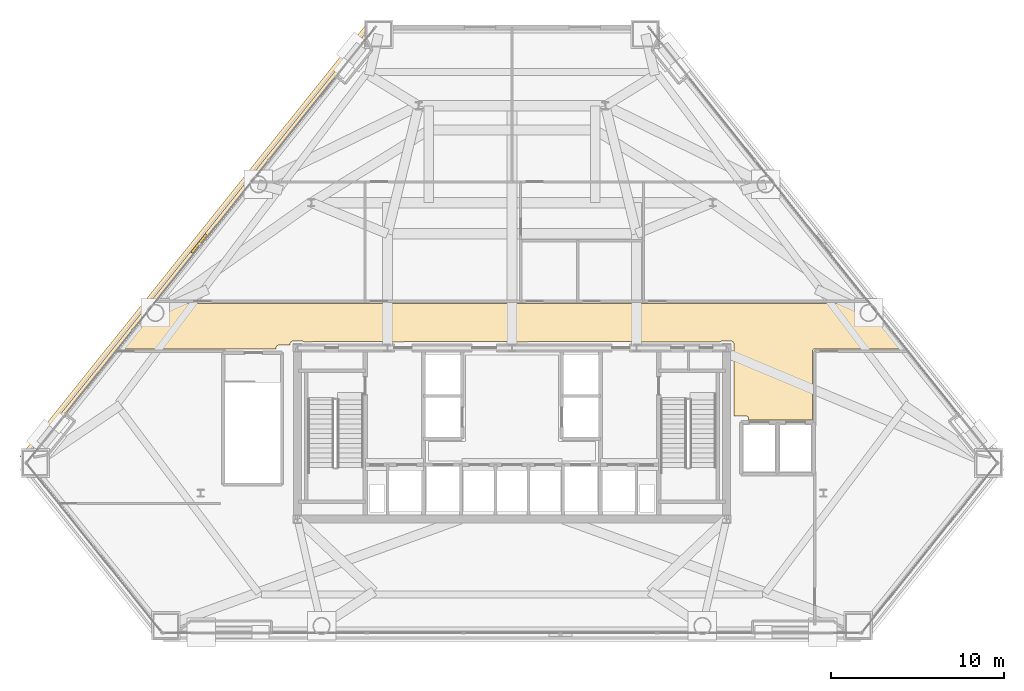
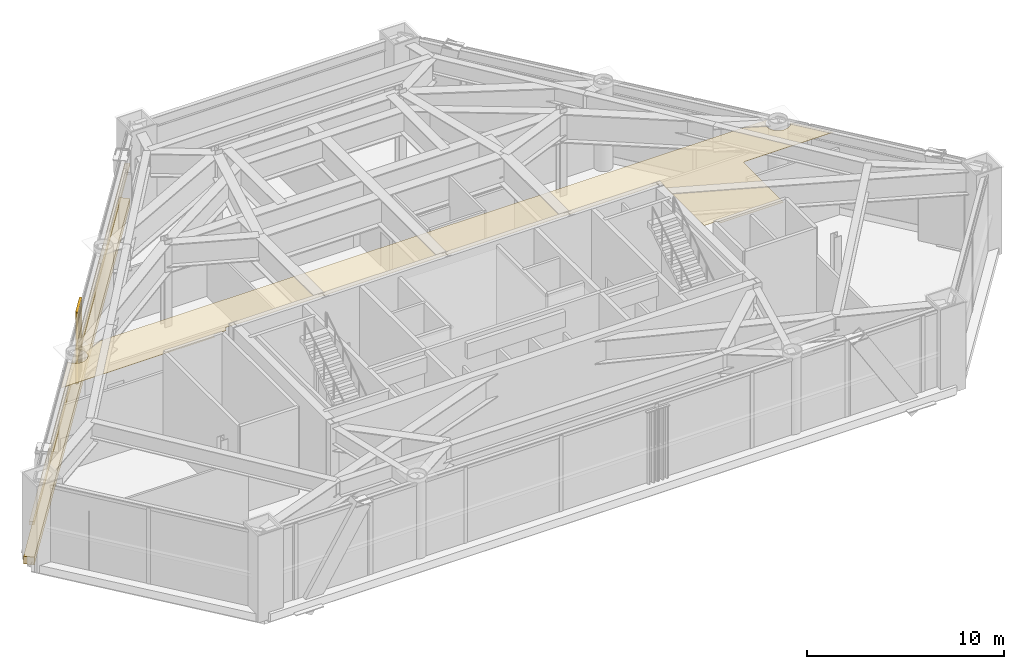
# One storey, part 12 of 13: 3 coverings, 1 shading device.
"""IFC4 building model written with IfcOpenShell, lengths in metres."""

from ifc_helpers import new_model, si_unit, direction, frame, origin, origin_2d, place, context, subcontext, project, spatial, polyline, rectangle, outline, extrude, source, transform, mapped, material, layer, layer_set, type_object, type_shapes, element, save


model = new_model("IFC4")

# Units and contexts
model_context = context("Model", 3, precision=1e-05, world=origin(), true_north=direction((0.0, 1.0)))
body_context = subcontext(model_context, "Body", "Model", "MODEL_VIEW")
ifc_project = project(units=[si_unit("LENGTHUNIT", "METRE"), si_unit("AREAUNIT", "SQUARE_METRE"), si_unit("VOLUMEUNIT", "CUBIC_METRE"), si_unit("PLANEANGLEUNIT", "RADIAN"), si_unit("MASSUNIT", "GRAM", prefix="KILO")], contexts=[model_context])

# Site, building, storey
site_placement = place(None, origin())
site = spatial("IfcSite", under=ifc_project, at=site_placement, CompositionType="ELEMENT")
building_placement = place(site_placement, origin())
building = spatial("IfcBuilding", under=site, at=building_placement, Name="Talgorran Terracotta Tower", CompositionType="ELEMENT")
storey_placement = place(building_placement, frame((0.0, 0.0, 18.89990234375)))
storey = spatial("IfcBuildingStorey", under=building, at=storey_placement, Name="L04", CompositionType="ELEMENT", Elevation=18.89990234375)

# Coverings
ifc_material_1 = material(Name="Kiln-Fired Terracotta Ochre Ceramic", Category="masonry")
ifc_layer_1 = layer(ifc_material_1, 0.179931640625, Name="COV_BAGUETTE_TERRACOTTA_SCREEN")
ifc_layer_set_1 = layer_set([ifc_layer_1], Name="Kiln-Fired Terracotta Ochre Ceramic")
covering_type_1 = type_object("IfcCoveringType", Name="COV_BAGUETTE_TERRACOTTA_SCREEN", PredefinedType="CLADDING", material=ifc_layer_set_1)
covering_1_placement = place(storey_placement, frame((-18.072509765625, 1.802490234375, 2.41015625), z_axis=(0.0, 0.0, 1.0), x_axis=(-0.625120058901, -0.780528610597, 0.0)))
element("IfcCovering", 1, at=covering_1_placement, inside=storey, type_object=covering_type_1, Name="L04 Terracotta Baguette Solar Screen Assembly F5", PredefinedType="CLADDING", context=body_context, shape_type="SweptSolid", body=[
    extrude(rectangle(XDim=32.135498046875, YDim=0.260009765625, at=origin_2d()), origin(), (0.0, 0.0, 1.0), 0.219970703125),
])
ifc_material_2 = material(Name="Mineral Fibre Acoustic Tile")
ifc_layer_2 = layer(ifc_material_2, 0.02490234375, Name="COV_CEIL_ACOUSTIC")
ifc_layer_set_2 = layer_set([ifc_layer_2], Name="Mineral Fibre Acoustic Tile")
covering_type_2 = type_object("IfcCoveringType", Name="COV_CEIL_ACOUSTIC", PredefinedType="CEILING", material=ifc_layer_set_2)
covering_2_placement = place(storey_placement, frame((0.0, 0.0, 5.06005859375)))
element("IfcCovering", 2, at=covering_2_placement, inside=storey, type_object=covering_type_2, Name="CEIL-L04-2", PredefinedType="CEILING", context=body_context, shape_type="SweptSolid", body=[
    extrude(outline(polyline([(-21.211669921875, -2.4453125), (-21.209716796875, -2.4482421875), (-21.094970703125, -2.620361328125), (-21.087890625, -2.629638671875), (-21.080078125, -2.638427734375), (-21.0712890625, -2.646484375), (-21.061767578125, -2.6533203125), (-20.889892578125, -2.768310546875), (-20.879638671875, -2.7744140625), (-20.868896484375, -2.779296875), (-20.85791015625, -2.783203125), (-20.846435546875, -2.7861328125), (-20.643798828125, -2.826416015625), (-20.632080078125, -2.828125), (-20.620361328125, -2.828857421875), (-20.6083984375, -2.828125), (-20.596923828125, -2.826416015625), (-20.39404296875, -2.7861328125), (-20.3828125, -2.783203125), (-20.37158203125, -2.779296875), (-20.36083984375, -2.7744140625), (-20.350830078125, -2.768310546875), (-20.1787109375, -2.6533203125), (-20.16943359375, -2.646484375), (-20.16064453125, -2.638427734375), (-20.152587890625, -2.629638671875), (-20.145751953125, -2.620361328125), (-20.03076171875, -2.4482421875), (-20.02490234375, -2.438232421875), (-20.019775390625, -2.427490234375), (-20.015869140625, -2.41650390625), (-20.012939453125, -2.405029296875), (-19.97265625, -2.2021484375), (-19.970947265625, -2.190673828125), (-19.97021484375, -2.1787109375), (-19.970947265625, -2.1669921875), (-19.97265625, -2.155517578125), (-20.012939453125, -1.95263671875), (-20.015869140625, -1.941162109375), (-20.019775390625, -1.93017578125), (-20.02490234375, -1.91943359375), (-20.03076171875, -1.9091796875), (-20.145751953125, -1.7373046875), (-20.152587890625, -1.727783203125), (-20.16064453125, -1.718994140625), (-20.16943359375, -1.711181640625), (-20.1787109375, -1.7041015625), (-20.282470703125, -1.635009765625), (20.282470703125, -1.635009765625), (20.1787109375, -1.7041015625), (20.16943359375, -1.711181640625), (20.16064453125, -1.718994140625), (20.152587890625, -1.727783203125), (20.145751953125, -1.7373046875), (20.03076171875, -1.9091796875), (20.02490234375, -1.91943359375), (20.019775390625, -1.93017578125), (20.015869140625, -1.941162109375), (20.012939453125, -1.95263671875), (19.97265625, -2.155517578125), (19.970947265625, -2.1669921875), (19.97021484375, -2.1787109375), (19.970947265625, -2.190673828125), (19.97265625, -2.2021484375), (20.012939453125, -2.405029296875), (20.015869140625, -2.41650390625), (20.019775390625, -2.427490234375), (20.02490234375, -2.438232421875), (20.03076171875, -2.4482421875), (20.145751953125, -2.620361328125), (20.152587890625, -2.629638671875), (20.16064453125, -2.638427734375), (20.16943359375, -2.646484375), (20.1787109375, -2.6533203125), (20.350830078125, -2.768310546875), (20.36083984375, -2.7744140625), (20.37158203125, -2.779296875), (20.3828125, -2.783203125), (20.39404296875, -2.7861328125), (20.596923828125, -2.826416015625), (20.6083984375, -2.828125), (20.620361328125, -2.828857421875), (20.632080078125, -2.828125), (20.643798828125, -2.826416015625), (20.846435546875, -2.7861328125), (20.85791015625, -2.783203125), (20.868896484375, -2.779296875), (20.879638671875, -2.7744140625), (20.889892578125, -2.768310546875), (21.061767578125, -2.6533203125), (21.0712890625, -2.646484375), (21.080078125, -2.638427734375), (21.087890625, -2.629638671875), (21.094970703125, -2.620361328125), (21.209716796875, -2.4482421875), (21.2109375, -2.4462890625), (22.6689453125, -4.264892578125), (17.5, -4.264892578125), (17.48828125, -4.265625), (17.476806640625, -4.267333984375), (17.46533203125, -4.27001953125), (17.45703125, -4.272705078125), (17.446044921875, -4.276611328125), (17.435302734375, -4.281494140625), (17.42529296875, -4.28759765625), (17.415771484375, -4.294677734375), (17.406982421875, -4.302490234375), (17.399169921875, -4.311279296875), (17.3935546875, -4.318115234375), (17.386474609375, -4.327392578125), (17.38037109375, -4.337646484375), (17.375244140625, -4.348388671875), (17.371337890625, -4.359375), (17.368408203125, -4.370849609375), (17.36669921875, -4.382568359375), (17.3662109375, -4.394287109375), (17.364990234375, -8.364990234375), (13.68505859375, -8.364990234375), (13.68505859375, -8.280029296875), (13.684326171875, -8.268310546875), (13.6826171875, -8.256591796875), (13.679931640625, -8.245361328125), (13.677490234375, -8.237060546875), (13.673583984375, -8.22607421875), (13.66845703125, -8.21533203125), (13.662353515625, -8.205078125), (13.655517578125, -8.19580078125), (13.6474609375, -8.18701171875), (13.638916015625, -8.17919921875), (13.632080078125, -8.173583984375), (13.62255859375, -8.16650390625), (13.6123046875, -8.160400390625), (13.601806640625, -8.1552734375), (13.5908203125, -8.1513671875), (13.579345703125, -8.1484375), (13.567626953125, -8.146728515625), (13.555908203125, -8.14599609375), (12.8349609375, -8.145263671875), (12.8349609375, -3.97998046875), (12.83447265625, -3.96826171875), (12.832763671875, -3.956787109375), (12.829833984375, -3.9453125), (12.827392578125, -3.93701171875), (12.823486328125, -3.926025390625), (12.818359375, -3.915283203125), (12.8125, -3.9052734375), (12.805419921875, -3.895751953125), (12.797607421875, -3.886962890625), (12.7890625, -3.87939453125), (12.785888671875, -3.872314453125), (12.77978515625, -3.8623046875), (12.772705078125, -3.852783203125), (12.764892578125, -3.843994140625), (12.756103515625, -3.836181640625), (12.74658203125, -3.8291015625), (12.736572265625, -3.8232421875), (12.725830078125, -3.818115234375), (12.71484375, -3.814208984375), (12.703369140625, -3.811279296875), (12.69189453125, -3.8095703125), (12.679931640625, -3.80908203125), (12.1201171875, -3.80908203125), (12.108154296875, -3.8095703125), (12.0966796875, -3.811279296875), (12.085205078125, -3.814208984375), (12.07421875, -3.818115234375), (12.0634765625, -3.8232421875), (12.05322265625, -3.8291015625), (12.0439453125, -3.836181640625), (12.03515625, -3.843994140625), (12.034423828125, -3.844970703125), (7.432861328125, -3.844970703125), (6.968017578125, -3.843017578125), (6.967529296875, -3.843017578125), (0.232666015625, -3.844970703125), (-0.23193359375, -3.843017578125), (-0.232421875, -3.843017578125), (-6.96728515625, -3.844970703125), (-7.431884765625, -3.843017578125), (-7.4326171875, -3.843017578125), (-12.034423828125, -3.844970703125), (-12.03515625, -3.843994140625), (-12.0439453125, -3.836181640625), (-12.05322265625, -3.8291015625), (-12.0634765625, -3.8232421875), (-12.07421875, -3.818115234375), (-12.085205078125, -3.814208984375), (-12.0966796875, -3.811279296875), (-12.108154296875, -3.8095703125), (-12.1201171875, -3.80908203125), (-12.679931640625, -3.80908203125), (-12.69189453125, -3.8095703125), (-12.703369140625, -3.811279296875), (-12.71484375, -3.814208984375), (-12.725830078125, -3.818115234375), (-12.736572265625, -3.8232421875), (-12.74658203125, -3.8291015625), (-12.756103515625, -3.836181640625), (-12.764892578125, -3.843994140625), (-12.772705078125, -3.852783203125), (-12.77978515625, -3.8623046875), (-12.785888671875, -3.872314453125), (-12.788818359375, -3.878662109375), (-12.79296875, -3.882568359375), (-12.80078125, -3.89111328125), (-12.806396484375, -3.89794921875), (-12.8134765625, -3.907470703125), (-12.819580078125, -3.91748046875), (-12.82470703125, -3.927978515625), (-12.82861328125, -3.93896484375), (-12.83154296875, -3.9501953125), (-12.833251953125, -3.9619140625), (-12.833984375, -3.9736328125), (-12.834228515625, -4.044921875), (-13.5, -4.044921875), (-13.51171875, -4.045654296875), (-13.523193359375, -4.04736328125), (-13.53466796875, -4.050048828125), (-13.54296875, -4.052490234375), (-13.553955078125, -4.056396484375), (-13.564697265625, -4.0615234375), (-13.57470703125, -4.067626953125), (-13.584228515625, -4.07470703125), (-13.593017578125, -4.08251953125), (-13.600830078125, -4.09130859375), (-13.6064453125, -4.097900390625), (-13.613525390625, -4.107421875), (-13.61962890625, -4.117431640625), (-13.62451171875, -4.1279296875), (-13.628662109375, -4.138916015625), (-13.631591796875, -4.150390625), (-13.63330078125, -4.162109375), (-13.6337890625, -4.173583984375), (-13.634521484375, -4.264892578125), (-22.669189453125, -4.264892578125), (-21.211669921875, -2.4453125)])), origin(), (0.0, 0.0, 1.0), 0.02001953125),
])
ifc_material_3 = material(Name="Honed Limestone Cladding", Category="masonry")
ifc_layer_3 = layer(ifc_material_3, 0.094970703125, Name="COV_PORTAL_LIME")
ifc_layer_set_3 = layer_set([ifc_layer_3], Name="Honed Limestone Cladding")
covering_type_3 = type_object("IfcCoveringType", Name="COV_PORTAL_LIME", PredefinedType="CLADDING", material=ifc_layer_set_3)
covering_3_placement = place(storey_placement, frame((-18.181640625, 1.889892578125, -0.039794921875), z_axis=(0.0, 0.0, 1.0), x_axis=(-0.625120058901, -0.780528610597, 0.0)))
element("IfcCovering", 3, at=covering_3_placement, inside=storey, type_object=covering_type_3, Name="L04 Striped Postmodern Portal Cladding Band F5", PredefinedType="CLADDING", context=body_context, shape_type="SweptSolid", body=[
    extrude(rectangle(XDim=32.155517578125, YDim=0.56005859375, at=origin_2d()), origin(), (0.0, 0.0, 1.0), 0.47998046875),
])

# Shading device
ifc_material_4 = material(Name="Kiln-Fired Terracotta", Category="masonry")
ifc_layer_4 = layer(ifc_material_4, 0.139892578125, Name="SHD_BAGUETTE_TERRA")
ifc_layer_set_4 = layer_set([ifc_layer_4], Name="Kiln-Fired Terracotta")
shading_device_type = type_object("IfcShadingDeviceType", Name="SHD_BAGUETTE_TERRA", PredefinedType="JALOUSIE", material=ifc_layer_set_4)
shared_shape = source(origin(), body_context, "Body", "SweptSolid", [
    extrude(rectangle(XDim=1.35009765625, YDim=0.139892578125, at=origin_2d()), origin(), (0.0, 0.0, 1.0), 0.054931640625),
    extrude(rectangle(XDim=1.35009765625, YDim=0.139892578125, at=origin_2d()), frame((0.0, 0.0, 4.545166015625)), (0.0, 0.0, 1.0), 0.054931640625),
    extrude(rectangle(XDim=0.074951171875, YDim=0.139892578125, at=origin_2d()), frame((-0.53515625, 0.0, 0.054931640625), z_axis=(0.0, 0.0, 1.0), x_axis=(0.866025403784, 0.5, 0.0)), (0.0, 0.0, 1.0), 4.490234375),
    extrude(rectangle(XDim=0.074951171875, YDim=0.139892578125, at=origin_2d()), frame((-0.267578125, 0.0, 0.054931640625), z_axis=(0.0, 0.0, 1.0), x_axis=(0.866025403784, 0.5, 0.0)), (0.0, 0.0, 1.0), 4.490234375),
    extrude(rectangle(XDim=0.074951171875, YDim=0.139892578125, at=origin_2d()), frame((0.0, 0.0, 0.054931640625), z_axis=(0.0, 0.0, 1.0), x_axis=(0.866025403784, 0.5, 0.0)), (0.0, 0.0, 1.0), 4.490234375),
    extrude(rectangle(XDim=0.074951171875, YDim=0.139892578125, at=origin_2d()), frame((0.267578125, 0.0, 0.054931640625), z_axis=(0.0, 0.0, 1.0), x_axis=(0.866025403784, 0.5, 0.0)), (0.0, 0.0, 1.0), 4.490234375),
    extrude(rectangle(XDim=0.074951171875, YDim=0.139892578125, at=origin_2d()), frame((0.53515625, 0.0, 0.054931640625), z_axis=(0.0, 0.0, 1.0), x_axis=(0.866025403784, 0.5, 0.0)), (0.0, 0.0, 1.0), 4.490234375),
])
type_shapes(shading_device_type, [shared_shape])
shading_device_placement = place(storey_placement, frame((-18.099609375, 1.83251953125, 0.35009765625), z_axis=(0.0, 0.0, 1.0), x_axis=(-0.625120058901, -0.780528610597, 0.0)))
element("IfcShadingDevice", 4, at=shading_device_placement, inside=storey, type_object=shading_device_type, Name="BAG-L04-F5", PredefinedType="JALOUSIE", context=body_context, shape_type="MappedRepresentation", body=[
    mapped(shared_shape, transform((0.0, 0.0, 0.0), scale=1.0)),
])

save(model, "model.ifc")
